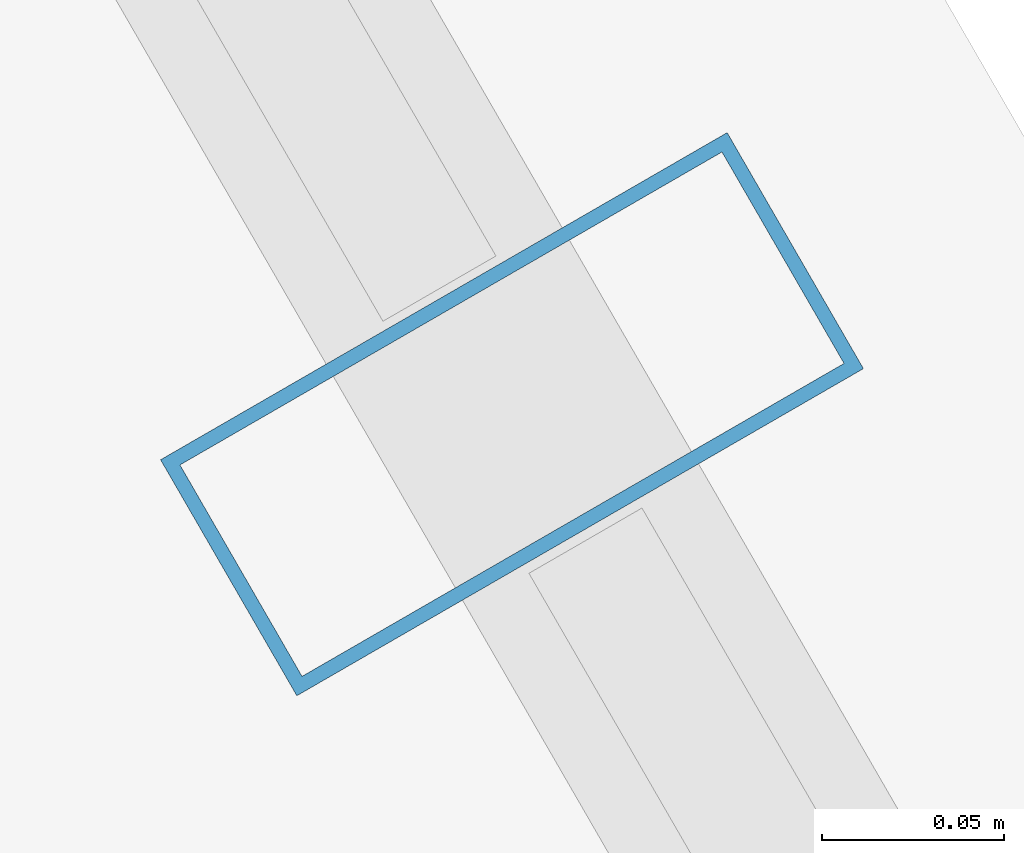
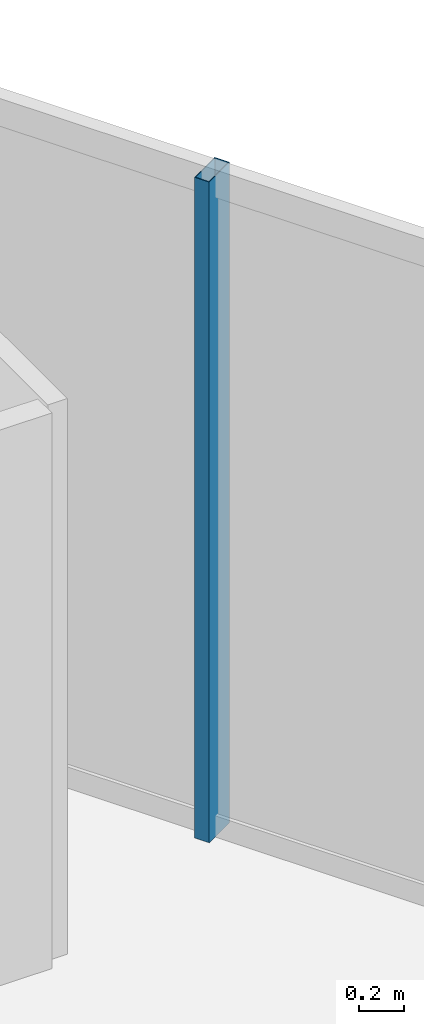
# One storey, part 15 of 30: 1 member, 1 element without a shape of its own.
"""IFC4 building model written with IfcOpenShell, lengths in metres."""

from ifc_helpers import new_model, si_unit, direction, frame, origin, origin_2d, place, context, subcontext, project, spatial, hollow_rectangle, extrude, material, layer, layer_set, material_profile, profile_set, type_object, element, aggregate, save


model = new_model("IFC4")

# Units and contexts
model_context = context("Model", 3, precision=1e-05, world=origin(), true_north=direction((0.0, 1.0)))
body_context = subcontext(model_context, "Body", "Model", "MODEL_VIEW")
ifc_project = project(units=[si_unit("LENGTHUNIT", "METRE"), si_unit("AREAUNIT", "SQUARE_METRE"), si_unit("VOLUMEUNIT", "CUBIC_METRE"), si_unit("PLANEANGLEUNIT", "RADIAN"), si_unit("MASSUNIT", "GRAM", prefix="KILO")], contexts=[model_context])

# Site, building, storey
site_placement = place(None, origin())
site = spatial("IfcSite", under=ifc_project, at=site_placement, CompositionType="ELEMENT")
building_placement = place(site_placement, origin())
building = spatial("IfcBuilding", under=site, at=building_placement, Name="Ndaravel Arena Tower", CompositionType="ELEMENT")
storey_placement = place(building_placement, frame((0.0, 0.0, 225.60009765625)))
storey = spatial("IfcBuildingStorey", under=building, at=storey_placement, Name="L54", CompositionType="ELEMENT", Elevation=225.60009765625)

# Curtain wall, member
ifc_material_1 = material(Name="Aluminium", Category="aluminium")
ifc_layer = layer(ifc_material_1, 0.179931640625)
ifc_layer_set = layer_set([ifc_layer], Name="Aluminium")
curtain_wall_type = type_object("IfcCurtainWallType", Name="CW-SYS-03", PredefinedType="NOTDEFINED", material=ifc_layer_set)
curtain_wall_placement = place(storey_placement, origin())
curtain_wall = element("IfcCurtainWall", 1, at=curtain_wall_placement, inside=storey, type_object=curtain_wall_type, Name="L54 Faceted Crystal Curtain Wall CW-L54-E03", PredefinedType="NOTDEFINED")
ifc_material_2 = material(Name="Aluminium", Category="aluminium")
ifc_material_profile = material_profile(ifc_material_2, hollow_rectangle(XDim=0.074951171875, YDim=0.179931640625, WallThickness=0.00390625, at=origin_2d()), Name="CW MULLION 75x180x4")
ifc_profile_set = profile_set([ifc_material_profile], Name="Aluminium")
member_type = type_object("IfcMemberType", Name="MEM-CW-MUL180", PredefinedType="MULLION", material=ifc_profile_set)
member_placement = place(storey_placement, frame((63.17578125, 15.658203125, 0.0), z_axis=(0.0, 0.0, 1.0), x_axis=(-0.5, 0.866025403784, 0.0)))
member = element("IfcMember", 2, at=member_placement, type_object=member_type, Name="CW-L54-E03 Mullion 01", PredefinedType="MULLION", context=body_context, shape_type="SweptSolid", body=[
    extrude(hollow_rectangle(XDim=0.074951171875, YDim=0.179931640625, WallThickness=0.00390625, at=origin_2d()), origin(), (0.0, 0.0, 1.0), 3.579833984375),
])
aggregate(curtain_wall, [member])

save(model, "model.ifc")
